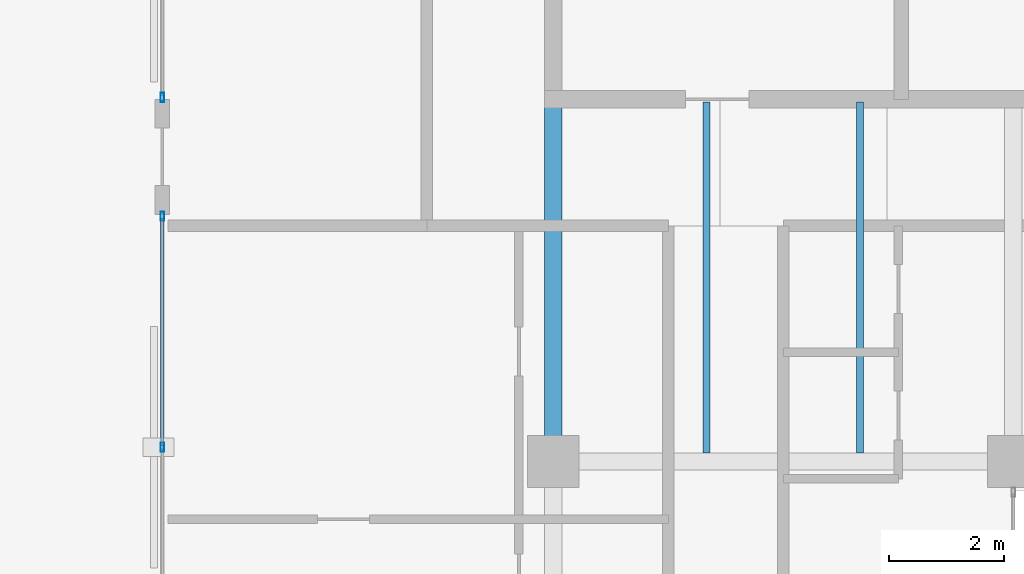
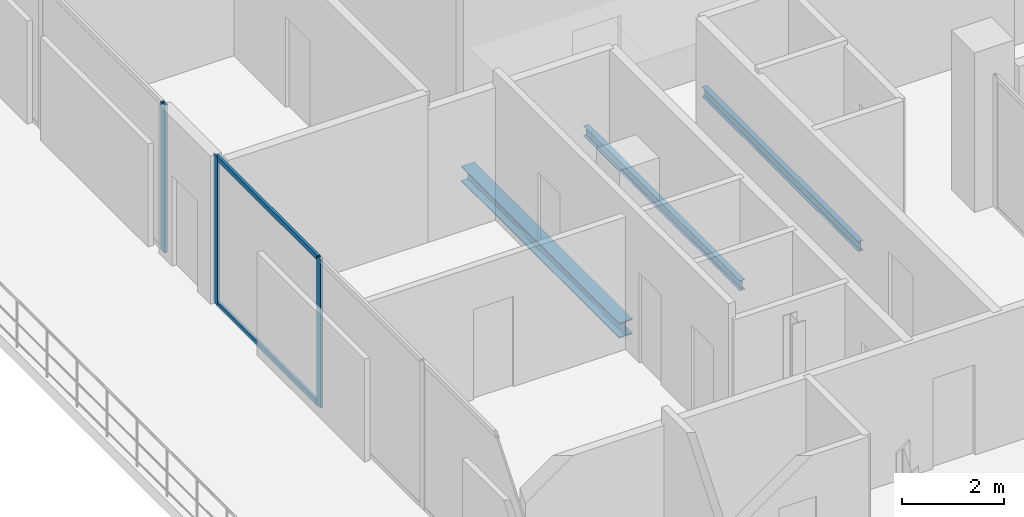
# One storey, part 8 of 18: 5 members, 3 beams, 2 elements without a shape of their own.
"""IFC4 building model written with IfcOpenShell, lengths in metres."""

from ifc_helpers import new_model, si_unit, direction, frame, origin, origin_2d, place, context, subcontext, project, spatial, hollow_rectangle, i_section, extrude, material, layer, layer_set, material_profile, profile_set, type_object, element, aggregate, save


model = new_model("IFC4")

# Units and contexts
model_context = context("Model", 3, precision=1e-05, world=origin(), true_north=direction((0.0, 1.0)))
body_context = subcontext(model_context, "Body", "Model", "MODEL_VIEW")
ifc_project = project(units=[si_unit("LENGTHUNIT", "METRE"), si_unit("AREAUNIT", "SQUARE_METRE"), si_unit("VOLUMEUNIT", "CUBIC_METRE"), si_unit("PLANEANGLEUNIT", "RADIAN"), si_unit("MASSUNIT", "GRAM", prefix="KILO")], contexts=[model_context])

# Site, building, storey
site_placement = place(None, origin())
site = spatial("IfcSite", under=ifc_project, at=site_placement, CompositionType="ELEMENT")
building_placement = place(site_placement, origin())
building = spatial("IfcBuilding", under=site, at=building_placement, Name="Catumbela Crestline Tower", CompositionType="ELEMENT")
storey_placement = place(building_placement, frame((0.0, 0.0, 264.0)))
storey = spatial("IfcBuildingStorey", under=building, at=storey_placement, Name="L68", CompositionType="ELEMENT", Elevation=264.0)

# Beams
ifc_material_1 = material(Name="Structural steel S355J2", Category="steel")
ifc_material_profile_1 = material_profile(ifc_material_1, i_section(OverallWidth=0.3, OverallDepth=0.36, WebThickness=0.0125, FlangeThickness=0.0225, FilletRadius=0.027, at=origin_2d()), Name="HEB 360")
ifc_profile_set_1 = profile_set([ifc_material_profile_1], Name="Structural steel S355J2")
beam_type_1 = type_object("IfcBeamType", Name="BG-HEB360", PredefinedType="BEAM", material=ifc_profile_set_1)
beam_placement = place(storey_placement, frame((16.0, 24.58, -0.44), z_axis=(0.0, 1.0, 0.0), x_axis=(-1.0, 0.0, 0.0)))
element("IfcBeam", 1, at=beam_placement, inside=storey, type_object=beam_type_1, Name="L68 Beam BM-L68-SNS06", PredefinedType="BEAM", context=body_context, shape_type="SweptSolid", body=[
    extrude(i_section(OverallWidth=0.3, OverallDepth=0.36, WebThickness=0.0125, FlangeThickness=0.0225, FilletRadius=0.027, at=origin_2d()), origin(), (0.0, 0.0, 1.0), 6.17),
])
ifc_material_profile_2 = material_profile(ifc_material_1, i_section(OverallWidth=0.12, OverallDepth=0.24, WebThickness=0.0062, FlangeThickness=0.0098, FilletRadius=0.015, at=origin_2d()), Name="IPE 240")
ifc_profile_set_2 = profile_set([ifc_material_profile_2], Name="Structural steel S355J2")
beam_type_2 = type_object("IfcBeamType", Name="BJ-IPE240", PredefinedType="JOIST", material=ifc_profile_set_2)
for number, where, z_axis, x_axis, name in (
    (2, (18.667, 24.647, -0.38), (0.0, 1.0, 0.0), (-1.0, 0.0, 0.0), "L68 Joist JS-L68-SP12"),
    (3, (21.333, 24.647, -0.38), (0.0, 1.0, 0.0), (-1.0, 0.0, 0.0), "L68 Joist JS-L68-SP13"),
):
    element("IfcBeam", number, at=place(storey_placement, frame(where, z_axis=z_axis, x_axis=x_axis)), inside=storey, type_object=beam_type_2, Name=name, PredefinedType="JOIST", context=body_context, shape_type="SweptSolid", body=[
        extrude(i_section(OverallWidth=0.12, OverallDepth=0.24, WebThickness=0.0062, FlangeThickness=0.0098, FilletRadius=0.015, at=origin_2d()), origin(), (0.0, 0.0, 1.0), 6.103),
    ])

# Curtain wall, member
ifc_material_2 = material(Name="Aluminium alloy AW-6060-T66", Category="aluminium")
ifc_layer = layer(ifc_material_2, 0.18, Name="Aluminium alloy AW-6060-T66")
ifc_layer_set = layer_set([ifc_layer], Name="Aluminium alloy AW-6060-T66")
curtain_wall_type = type_object("IfcCurtainWallType", Name="CWU-Z4", PredefinedType="USERDEFINED", material=ifc_layer_set)
curtain_wall_1_placement = place(storey_placement, origin())
curtain_wall_1 = element("IfcCurtainWall", 4, at=curtain_wall_1_placement, inside=storey, type_object=curtain_wall_type, Name="L68 Unitised Curtain Wall CW-L68-E9S1", ObjectType="UNITISED", PredefinedType="USERDEFINED")
ifc_material_profile_3 = material_profile(ifc_material_2, hollow_rectangle(XDim=0.06, YDim=0.16, WallThickness=0.004, at=origin_2d()), Name="ALU 160x60x4")
ifc_profile_set_3 = profile_set([ifc_material_profile_3], Name="Aluminium alloy AW-6060-T66")
member_type_1 = type_object("IfcMemberType", Name="MUL-160X60", PredefinedType="MULLION", material=ifc_profile_set_3)
member_1_placement = place(storey_placement, frame((9.2, 30.8325, 0.0), z_axis=(0.0, 0.0, 1.0), x_axis=(1.0, 0.0, 0.0)))
member_1 = element("IfcMember", 5, at=member_1_placement, type_object=member_type_1, Name="CWU-Z4 mullion 3", PredefinedType="MULLION", context=body_context, shape_type="SweptSolid", body=[
    extrude(hollow_rectangle(XDim=0.06, YDim=0.16, WallThickness=0.004, at=origin_2d()), origin(), (0.0, 0.0, 1.0), 3.53),
])
aggregate(curtain_wall_1, [member_1])

# Curtain wall, members
curtain_wall_2_placement = place(storey_placement, origin())
curtain_wall_2 = element("IfcCurtainWall", 6, at=curtain_wall_2_placement, inside=storey, type_object=curtain_wall_type, Name="L68 Unitised Curtain Wall CW-L68-E9S2", ObjectType="UNITISED", PredefinedType="USERDEFINED")
member_2_placement = place(storey_placement, frame((9.2, 28.7675, 0.0), z_axis=(0.0, 0.0, 1.0), x_axis=(1.0, 0.0, 0.0)))
member_2 = element("IfcMember", 7, at=member_2_placement, type_object=member_type_1, Name="CWU-Z4 mullion 1", PredefinedType="MULLION", context=body_context, shape_type="SweptSolid", body=[
    extrude(hollow_rectangle(XDim=0.06, YDim=0.16, WallThickness=0.004, at=origin_2d()), origin(), (0.0, 0.0, 1.0), 3.53),
])
member_3_placement = place(storey_placement, frame((9.2, 24.75, 0.0), z_axis=(0.0, 0.0, 1.0), x_axis=(1.0, 0.0, 0.0)))
member_3 = element("IfcMember", 8, at=member_3_placement, type_object=member_type_1, Name="CWU-Z4 mullion 2", PredefinedType="MULLION", context=body_context, shape_type="SweptSolid", body=[
    extrude(hollow_rectangle(XDim=0.06, YDim=0.16, WallThickness=0.004, at=origin_2d()), origin(), (0.0, 0.0, 1.0), 3.53),
])
ifc_material_profile_4 = material_profile(ifc_material_2, hollow_rectangle(XDim=0.06, YDim=0.12, WallThickness=0.0035, at=origin_2d()), Name="ALU 120x60x3.5")
ifc_profile_set_4 = profile_set([ifc_material_profile_4], Name="Aluminium alloy AW-6060-T66")
member_type_2 = type_object("IfcMemberType", Name="TRN-120X60", PredefinedType="USERDEFINED", material=ifc_profile_set_4)
member_4_placement = place(storey_placement, frame((9.2, 28.735, 0.03), z_axis=(0.0, -1.0, 0.0), x_axis=(1.0, 0.0, 0.0)))
member_4 = element("IfcMember", 9, at=member_4_placement, type_object=member_type_2, Name="CWU-Z4 transom 1.1", ObjectType="TRANSOM", PredefinedType="USERDEFINED", context=body_context, shape_type="SweptSolid", body=[
    extrude(hollow_rectangle(XDim=0.06, YDim=0.12, WallThickness=0.0035, at=origin_2d()), origin(), (0.0, 0.0, 1.0), 3.9525),
])
member_5_placement = place(storey_placement, frame((9.2, 28.735, 3.5), z_axis=(0.0, -1.0, 0.0), x_axis=(1.0, 0.0, 0.0)))
member_5 = element("IfcMember", 10, at=member_5_placement, type_object=member_type_2, Name="CWU-Z4 transom 1.2", ObjectType="TRANSOM", PredefinedType="USERDEFINED", context=body_context, shape_type="SweptSolid", body=[
    extrude(hollow_rectangle(XDim=0.06, YDim=0.12, WallThickness=0.0035, at=origin_2d()), origin(), (0.0, 0.0, 1.0), 3.9525),
])
aggregate(curtain_wall_2, [member_2, member_3, member_4, member_5])

save(model, "model.ifc")
